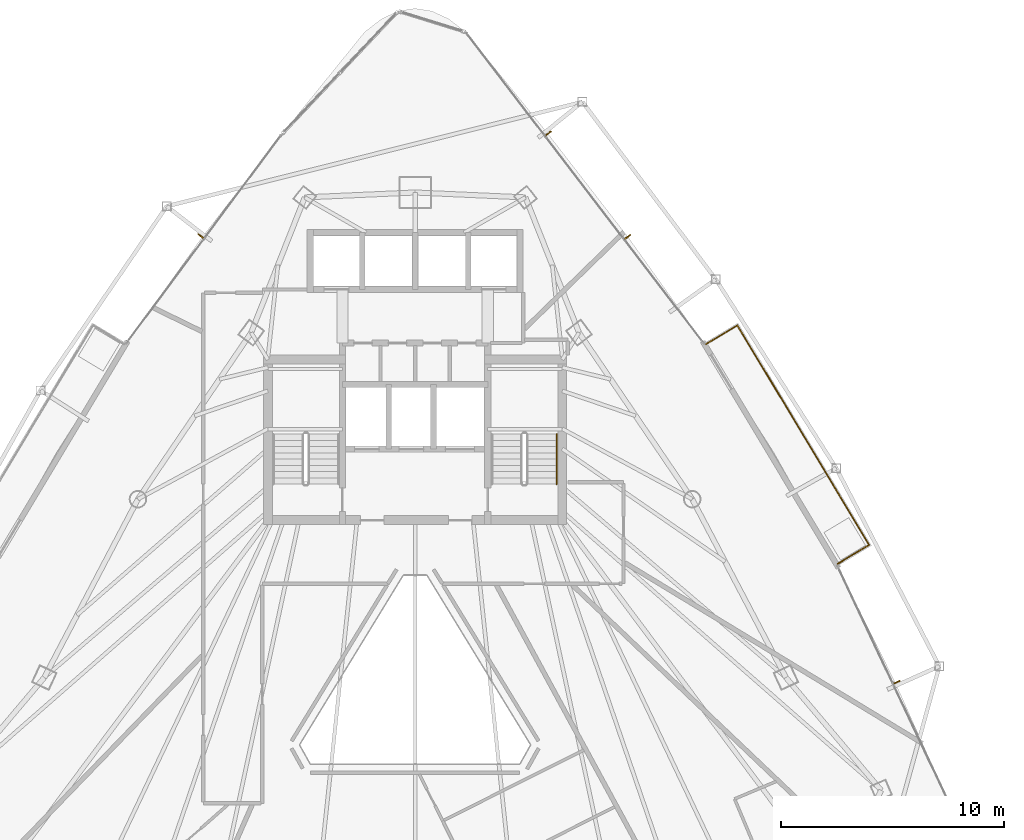
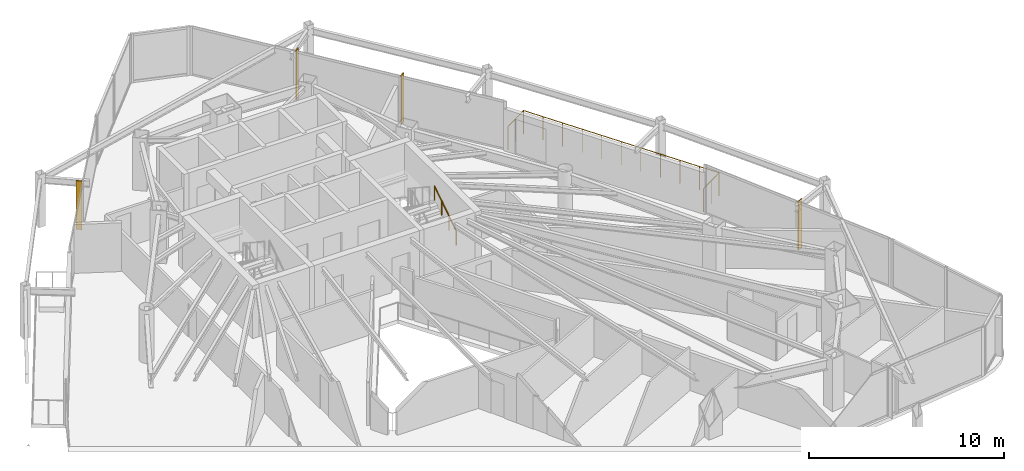
# One storey, part 31 of 31: 4 shading devices, 2 railings.
"""IFC4 building model written with IfcOpenShell, lengths in metres."""

from ifc_helpers import new_model, si_unit, direction, frame, origin, origin_2d, place, context, subcontext, project, spatial, rectangle, circle, extrude, material, layer, layer_set, type_object, element, save


model = new_model("IFC4")

# Units and contexts
model_context = context("Model", 3, precision=1e-05, world=origin(), true_north=direction((0.0, 1.0)))
body_context = subcontext(model_context, "Body", "Model", "MODEL_VIEW")
ifc_project = project(units=[si_unit("LENGTHUNIT", "METRE"), si_unit("AREAUNIT", "SQUARE_METRE"), si_unit("VOLUMEUNIT", "CUBIC_METRE"), si_unit("PLANEANGLEUNIT", "RADIAN"), si_unit("MASSUNIT", "GRAM", prefix="KILO")], contexts=[model_context])

# Site, building, storey
site_placement = place(None, origin())
site = spatial("IfcSite", under=ifc_project, at=site_placement, CompositionType="ELEMENT")
building_placement = place(site_placement, origin())
building = spatial("IfcBuilding", under=site, at=building_placement, Name="Orvanel Arch Residences", CompositionType="ELEMENT")
storey_placement = place(building_placement, frame((0.0, 0.0, 106.699951171875)))
storey = spatial("IfcBuildingStorey", under=building, at=storey_placement, Name="L29", CompositionType="ELEMENT", Elevation=106.699951171875)

# Shading devices
ifc_material_1 = material(Name="Bronze-anodised aluminium AA6063-T6", Category="aluminium")
ifc_layer = layer(ifc_material_1, 0.054931640625)
ifc_layer_set = layer_set([ifc_layer], Name="Bronze-anodised aluminium AA6063-T6")
shading_device_type = type_object("IfcShadingDeviceType", Name="FIN-BRZ-320", PredefinedType="USERDEFINED", material=ifc_layer_set)
for number, where, z_axis, x_axis, name in (
    (1, (23.388916015625, 39.44091796875, 0.0), (0.0, 0.0, 1.0), (-0.801775644244, 0.597625146976, 0.0), "L29 Anodised Bronze Mullion FIN 01"),
    (2, (54.614013671875, 19.430908203125, 0.0), (0.0, 0.0, 1.0), (0.904082549661, 0.427357863387, 0.0), "L29 Anodised Bronze Mullion FIN 01"),
    (3, (42.535888671875, 39.406982421875, 0.0), (0.0, 0.0, 1.0), (0.794414620535, 0.607375839723, 0.0), "L29 Anodised Bronze Mullion FIN 01"),
    (4, (38.98095703125, 44.050048828125, 0.0), (0.0, 0.0, 1.0), (0.794414620535, 0.607375839723, 0.0), "L29 Anodised Bronze Mullion FIN 02"),
):
    element("IfcShadingDevice", number, at=place(storey_placement, frame(where, z_axis=z_axis, x_axis=x_axis)), inside=storey, type_object=shading_device_type, Name=name, ObjectType="FIN", PredefinedType="USERDEFINED", context=body_context, shape_type="SweptSolid", body=[
        extrude(rectangle(XDim=0.320068359375, YDim=0.054931640625, at=origin_2d()), origin(), (0.0, 0.0, 1.0), 3.06005859375),
    ])

# Railings
railing_type_1 = type_object("IfcRailingType", Name="RL-BAL-1480", PredefinedType="BALUSTRADE", material=ifc_material_1)
railing_1_placement = place(storey_placement, frame((51.95703125, 24.743896484375, 0.0)))
element("IfcRailing", 5, at=railing_1_placement, inside=storey, type_object=railing_type_1, Name="L29 Balcony Perimeter Guardrail Face 3", PredefinedType="BALUSTRADE", context=body_context, shape_type="SweptSolid", body=[
    extrude(circle(Radius=0.02392578125, at=origin_2d()), frame((0.001220703125, 0.000732421875, 1.4560546875), z_axis=(0.857545439568, 0.514408222208, 0.0), x_axis=(-0.514408222208, 0.857545439568, 0.0)), (0.0, 0.0, 1.0), 1.6376953125),
    extrude(circle(Radius=0.02392578125, at=origin_2d()), frame((1.40625, 0.84521484375, 1.4560546875), z_axis=(-0.514411375866, 0.857543547804, 0.0), x_axis=(-0.857543547804, -0.514411375866, 0.0)), (0.0, 0.0, 1.0), 11.485595703125),
    extrude(circle(Radius=0.02392578125, at=origin_2d()), frame((-4.504150390625, 10.6953125, 1.4560546875), z_axis=(-0.857387817543, -0.514670895164, 0.0), x_axis=(0.514670895164, -0.857387817543, 0.0)), (0.0, 0.0, 1.0), 1.636962890625),
    extrude(circle(Radius=0.02099609375, at=origin_2d()), origin(), (0.0, 0.0, 1.0), 1.429931640625),
    extrude(circle(Radius=0.02099609375, at=origin_2d()), frame((0.70361328125, 0.421875, 0.0)), (0.0, 0.0, 1.0), 1.429931640625),
    extrude(circle(Radius=0.02099609375, at=origin_2d()), frame((1.406982421875, 0.843994140625, 0.0)), (0.0, 0.0, 1.0), 1.429931640625),
    extrude(circle(Radius=0.02099609375, at=origin_2d()), frame((0.81591796875, 1.8291015625, 0.0)), (0.0, 0.0, 1.0), 1.429931640625),
    extrude(circle(Radius=0.02099609375, at=origin_2d()), frame((0.22509765625, 2.814453125, 0.0)), (0.0, 0.0, 1.0), 1.429931640625),
    extrude(circle(Radius=0.02099609375, at=origin_2d()), frame((-0.365966796875, 3.799560546875, 0.0)), (0.0, 0.0, 1.0), 1.429931640625),
    extrude(circle(Radius=0.02099609375, at=origin_2d()), frame((-0.95703125, 4.784912109375, 0.0)), (0.0, 0.0, 1.0), 1.429931640625),
    extrude(circle(Radius=0.02099609375, at=origin_2d()), frame((-1.5478515625, 5.77001953125, 0.0)), (0.0, 0.0, 1.0), 1.429931640625),
    extrude(circle(Radius=0.02099609375, at=origin_2d()), frame((-2.138916015625, 6.755126953125, 0.0)), (0.0, 0.0, 1.0), 1.429931640625),
    extrude(circle(Radius=0.02099609375, at=origin_2d()), frame((-2.72998046875, 7.740478515625, 0.0)), (0.0, 0.0, 1.0), 1.429931640625),
    extrude(circle(Radius=0.02099609375, at=origin_2d()), frame((-3.321044921875, 8.7255859375, 0.0)), (0.0, 0.0, 1.0), 1.429931640625),
    extrude(circle(Radius=0.02099609375, at=origin_2d()), frame((-3.911865234375, 9.7109375, 0.0)), (0.0, 0.0, 1.0), 1.429931640625),
    extrude(circle(Radius=0.02099609375, at=origin_2d()), frame((-4.5029296875, 10.696044921875, 0.0)), (0.0, 0.0, 1.0), 1.429931640625),
    extrude(circle(Radius=0.02099609375, at=origin_2d()), frame((-5.2060546875, 10.27392578125, 0.0)), (0.0, 0.0, 1.0), 1.429931640625),
    extrude(circle(Radius=0.02099609375, at=origin_2d()), frame((-5.908935546875, 9.85205078125, 0.0)), (0.0, 0.0, 1.0), 1.429931640625),
])
ifc_material_2 = material(Name="Structural steel AS/NZS 1163 C350L0 (Grade 350)", Category="steel")
railing_type_2 = type_object("IfcRailingType", Name="RL-STAIR-HAND", PredefinedType="HANDRAIL", material=ifc_material_2)
railing_2_placement = place(storey_placement, frame((39.35009765625, 28.320068359375, 0.183349609375)))
element("IfcRailing", 6, at=railing_2_placement, inside=storey, type_object=railing_type_2, Name="L29 ST-2 stair handrail 1", PredefinedType="HANDRAIL", context=body_context, shape_type="SweptSolid", body=[
    extrude(circle(Radius=0.02392578125, at=origin_2d()), frame((0.0, 0.001220703125, 0.876708984375), z_axis=(0.0, 0.836595146698, 0.547821650285), x_axis=(-1.0, 0.0, 0.0)), (0.0, 0.0, 1.0), 2.674560546875),
    extrude(circle(Radius=0.02099609375, at=origin_2d()), origin(), (0.0, 0.0, 1.0), 0.849853515625),
    extrude(circle(Radius=0.02099609375, at=origin_2d()), frame((0.0, 0.74658203125, 0.489013671875)), (0.0, 0.0, 1.0), 0.849853515625),
    extrude(circle(Radius=0.02099609375, at=origin_2d()), frame((0.0, 1.493408203125, 0.977783203125)), (0.0, 0.0, 1.0), 0.849853515625),
    extrude(circle(Radius=0.02099609375, at=origin_2d()), frame((0.0, 2.239990234375, 1.466796875)), (0.0, 0.0, 1.0), 0.849853515625),
])

save(model, "model.ifc")
